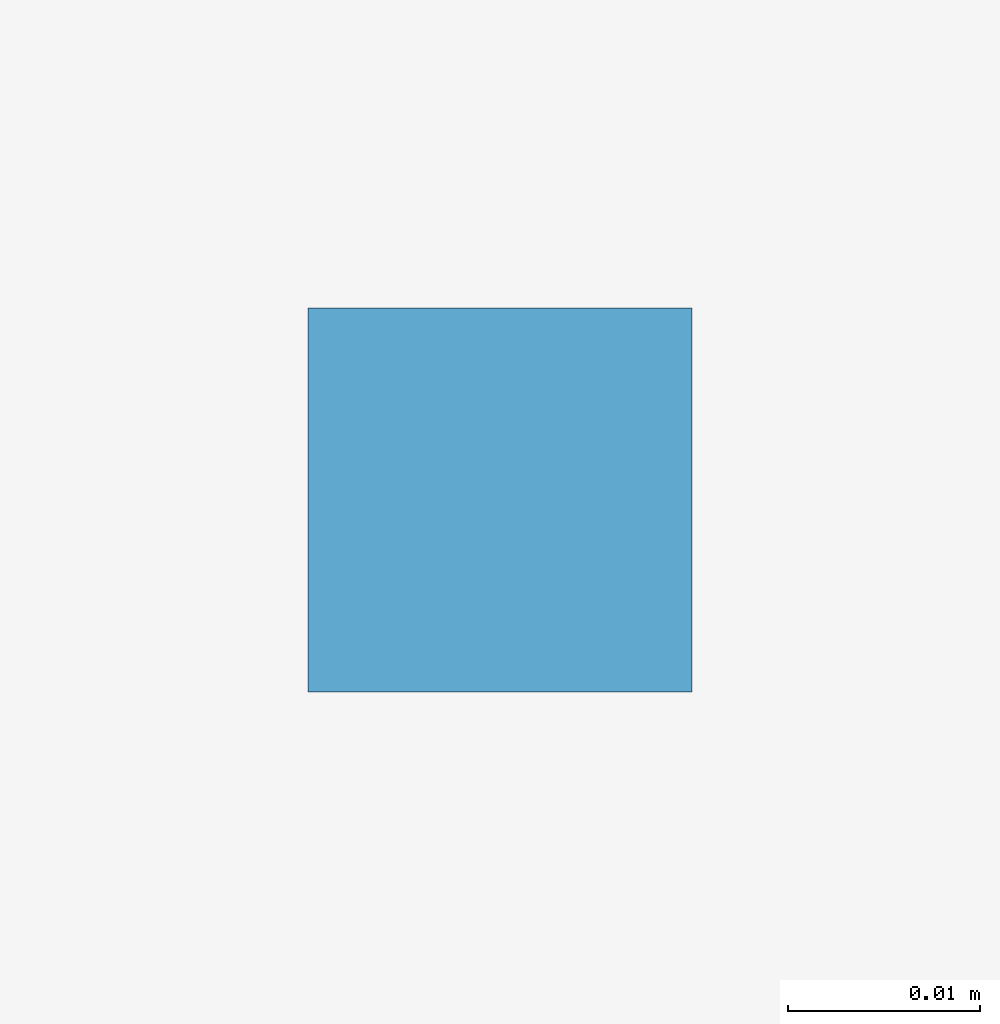
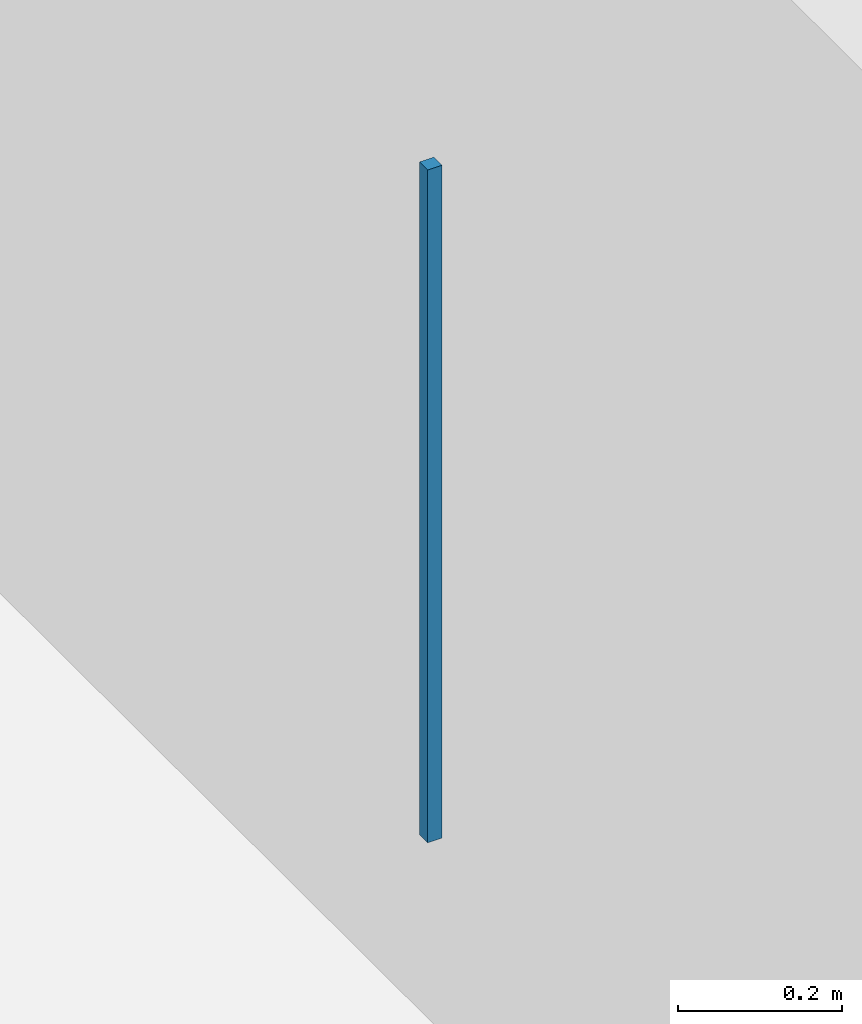
# One storey, part 41 of 51: 1 discrete accessory.
"""IFC4 building model written with IfcOpenShell, lengths in metres."""

from ifc_helpers import new_model, si_unit, direction, frame, origin, origin_2d, place, context, subcontext, project, spatial, rectangle, extrude, material, type_object, element, save


model = new_model("IFC4")

# Units and contexts
model_context = context("Model", 3, precision=1e-05, world=origin(), true_north=direction((0.0, 1.0)))
body_context = subcontext(model_context, "Body", "Model", "MODEL_VIEW")
ifc_project = project(units=[si_unit("LENGTHUNIT", "METRE"), si_unit("AREAUNIT", "SQUARE_METRE"), si_unit("VOLUMEUNIT", "CUBIC_METRE"), si_unit("PLANEANGLEUNIT", "RADIAN"), si_unit("MASSUNIT", "GRAM", prefix="KILO")], contexts=[model_context])

# Site, building, storey
site_placement = place(None, origin())
site = spatial("IfcSite", under=ifc_project, at=site_placement, CompositionType="ELEMENT")
building_placement = place(site_placement, origin())
building = spatial("IfcBuilding", under=site, at=building_placement, Name="Laocheng Heights Fire and Rescue Headquarters", CompositionType="ELEMENT")
storey_placement = place(building_placement, frame((0.0, 0.0, 21.0)))
storey = spatial("IfcBuildingStorey", under=building, at=storey_placement, Name="L05", CompositionType="ELEMENT", Elevation=21.0)

# Discrete accessory
ifc_material = material(Name="Copper rod")
discrete_accessory_type = type_object("IfcDiscreteAccessoryType", Name="DRILL LIGHTNING AIR TERMINAL 1000", PredefinedType="USERDEFINED", material=ifc_material)
discrete_accessory_placement = place(storey_placement, frame((115.5, 31.60009765625, 2.199951171875), z_axis=(0.0, 0.0, 1.0), x_axis=(1.0, 0.0, 0.0)))
element("IfcDiscreteAccessory", 1, at=discrete_accessory_placement, inside=storey, type_object=discrete_accessory_type, Name="Air terminal", ObjectType="AIR TERMINAL", PredefinedType="USERDEFINED", context=body_context, shape_type="SweptSolid", body=[
    extrude(rectangle(XDim=0.02001953125, YDim=0.02001953125, at=origin_2d()), origin(), (0.0, 0.0, 1.0), 1.0),
])

save(model, "model.ifc")
